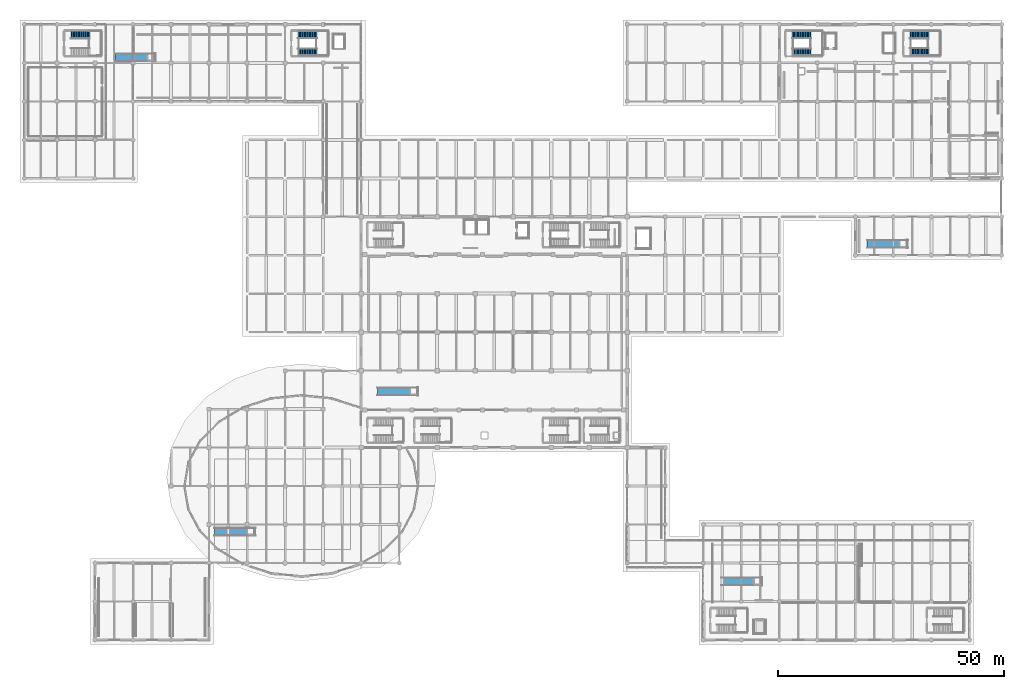
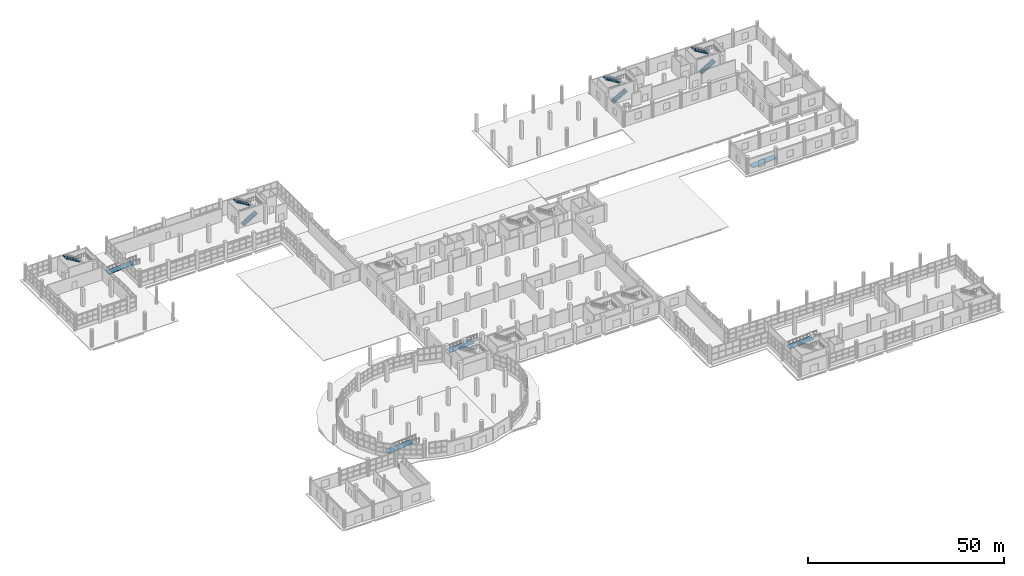
# One storey, part 99 of 107: 7 stair flights, 5 ramp flights, 9 elements without a shape of their own.
"""IFC4 building model written with IfcOpenShell, lengths in metres."""

from ifc_helpers import new_model, si_unit, direction, frame, origin, place, context, subcontext, project, spatial, polyline, outline, extrude, material, layer, layer_set, type_object, element, aggregate, save


model = new_model("IFC4")

# Units and contexts
model_context = context("Model", 3, precision=1e-05, world=origin(), true_north=direction((0.0, 1.0)))
body_context = subcontext(model_context, "Body", "Model", "MODEL_VIEW")
ifc_project = project(units=[si_unit("LENGTHUNIT", "METRE"), si_unit("AREAUNIT", "SQUARE_METRE"), si_unit("VOLUMEUNIT", "CUBIC_METRE"), si_unit("PLANEANGLEUNIT", "RADIAN"), si_unit("MASSUNIT", "GRAM", prefix="KILO")], contexts=[model_context])

# Site, building, storey
site_placement = place(None, origin())
site = spatial("IfcSite", under=ifc_project, at=site_placement, CompositionType="ELEMENT")
building_placement = place(site_placement, origin())
building = spatial("IfcBuilding", under=site, at=building_placement, Name="Solvento Point Concert Hall", CompositionType="ELEMENT")
storey_placement = place(building_placement, origin())
storey = spatial("IfcBuildingStorey", under=building, at=storey_placement, Name="L00", CompositionType="ELEMENT", Elevation=0.0)

# Stair, stair flights
ifc_material_1 = material(Name="Concrete C35/45", Category="concrete")
stair_type_1 = type_object("IfcStairType", Name="CoreStair_1600", PredefinedType="HALF_TURN_STAIR", material=ifc_material_1)
stair_1_placement = place(storey_placement, origin())
stair_1 = element("IfcStair", 1, at=stair_1_placement, inside=storey, type_object=stair_type_1, Name="Protected exit stair ST-01 (L00 to L01)", PredefinedType="HALF_TURN_STAIR")
ifc_material_2 = material(Name="Concrete C35/45", Category="concrete")
stair_flight_type_1 = type_object("IfcStairFlightType", Name="StairFlight_1600", PredefinedType="STRAIGHT", material=ifc_material_2)
stair_flight_1_placement = place(storey_placement, frame((169.64990234375, 129.89990234375, 0.0), z_axis=(0.0, 0.0, 1.0), x_axis=(1.0, 0.0, 0.0)))
stair_flight_1 = element("IfcStairFlight", 2, at=stair_flight_1_placement, type_object=stair_flight_type_1, Name="Stair flight ST-01 L00 lower", NumberOfRisers=16, NumberOfTreads=15, PredefinedType="STRAIGHT", RiserHeight=0.16875, TreadLength=0.28, context=body_context, shape_type="SweptSolid", body=[
    extrude(outline(polyline([(0.0, 0.0), (0.0, 0.168701171875), (0.280029296875, 0.168701171875), (0.280029296875, 0.33740234375), (0.56005859375, 0.33740234375), (0.56005859375, 0.50634765625), (0.840087890625, 0.50634765625), (0.840087890625, 0.675048828125), (1.1201171875, 0.675048828125), (1.1201171875, 0.84375), (1.39990234375, 0.84375), (1.39990234375, 1.012451171875), (1.679931640625, 1.012451171875), (1.679931640625, 1.18115234375), (1.9599609375, 1.18115234375), (1.9599609375, 1.35009765625), (2.239990234375, 1.35009765625), (2.239990234375, 1.518798828125), (2.52001953125, 1.518798828125), (2.52001953125, 1.6875), (2.800048828125, 1.6875), (2.800048828125, 1.856201171875), (3.080078125, 1.856201171875), (3.080078125, 2.02490234375), (3.360107421875, 2.02490234375), (3.360107421875, 2.19384765625), (3.639892578125, 2.19384765625), (3.639892578125, 2.362548828125), (3.919921875, 2.362548828125), (3.919921875, 2.53125), (4.199951171875, 2.53125), (4.199951171875, 2.699951171875), (4.199951171875, 2.3212890625), (0.3486328125, 0.0), (0.0, 0.0)])), frame((0.0, 0.800048828125, 0.0), z_axis=(0.0, -1.0, 0.0), x_axis=(1.0, 0.0, 0.0)), (0.0, 0.0, 1.0), 1.60009765625),
])
stair_flight_2_placement = place(storey_placement, frame((173.85009765625, 133.699951171875, 2.699951171875), z_axis=(0.0, 0.0, 1.0), x_axis=(-1.0, 0.0, 0.0)))
stair_flight_2 = element("IfcStairFlight", 3, at=stair_flight_2_placement, type_object=stair_flight_type_1, Name="Stair flight ST-01 L00 upper", NumberOfRisers=16, NumberOfTreads=15, PredefinedType="STRAIGHT", RiserHeight=0.16875, TreadLength=0.28, context=body_context, shape_type="SweptSolid", body=[
    extrude(outline(polyline([(0.0, 0.0), (0.0, 0.168701171875), (0.280029296875, 0.168701171875), (0.280029296875, 0.33740234375), (0.56005859375, 0.33740234375), (0.56005859375, 0.50634765625), (0.840087890625, 0.50634765625), (0.840087890625, 0.675048828125), (1.1201171875, 0.675048828125), (1.1201171875, 0.84375), (1.39990234375, 0.84375), (1.39990234375, 1.012451171875), (1.679931640625, 1.012451171875), (1.679931640625, 1.18115234375), (1.9599609375, 1.18115234375), (1.9599609375, 1.35009765625), (2.239990234375, 1.35009765625), (2.239990234375, 1.518798828125), (2.52001953125, 1.518798828125), (2.52001953125, 1.6875), (2.800048828125, 1.6875), (2.800048828125, 1.856201171875), (3.080078125, 1.856201171875), (3.080078125, 2.02490234375), (3.360107421875, 2.02490234375), (3.360107421875, 2.19384765625), (3.639892578125, 2.19384765625), (3.639892578125, 2.362548828125), (3.919921875, 2.362548828125), (3.919921875, 2.53125), (4.199951171875, 2.53125), (4.199951171875, 2.699951171875), (4.199951171875, 2.3212890625), (0.3486328125, 0.0), (0.0, 0.0)])), frame((0.0, 0.800048828125, 0.0), z_axis=(0.0, -1.0, 0.0), x_axis=(1.0, 0.0, 0.0)), (0.0, 0.0, 1.0), 1.60009765625),
])
aggregate(stair_1, [stair_flight_1, stair_flight_2])

stair_2_placement = place(storey_placement, origin())
stair_2 = element("IfcStair", 4, at=stair_2_placement, inside=storey, type_object=stair_type_1, Name="Protected exit stair ST-04 (L00 to L01)", PredefinedType="HALF_TURN_STAIR")
stair_flight_3_placement = place(storey_placement, frame((60.449951171875, 129.89990234375, 0.0), z_axis=(0.0, 0.0, 1.0), x_axis=(1.0, 0.0, 0.0)))
stair_flight_3 = element("IfcStairFlight", 5, at=stair_flight_3_placement, type_object=stair_flight_type_1, Name="Stair flight ST-04 L00 lower", NumberOfRisers=16, NumberOfTreads=15, PredefinedType="STRAIGHT", RiserHeight=0.16875, TreadLength=0.28, context=body_context, shape_type="SweptSolid", body=[
    extrude(outline(polyline([(0.0, 0.0), (0.0, 0.168701171875), (0.280029296875, 0.168701171875), (0.280029296875, 0.33740234375), (0.56005859375, 0.33740234375), (0.56005859375, 0.50634765625), (0.840087890625, 0.50634765625), (0.840087890625, 0.675048828125), (1.1201171875, 0.675048828125), (1.1201171875, 0.84375), (1.39990234375, 0.84375), (1.39990234375, 1.012451171875), (1.679931640625, 1.012451171875), (1.679931640625, 1.18115234375), (1.9599609375, 1.18115234375), (1.9599609375, 1.35009765625), (2.239990234375, 1.35009765625), (2.239990234375, 1.518798828125), (2.52001953125, 1.518798828125), (2.52001953125, 1.6875), (2.800048828125, 1.6875), (2.800048828125, 1.856201171875), (3.080078125, 1.856201171875), (3.080078125, 2.02490234375), (3.360107421875, 2.02490234375), (3.360107421875, 2.19384765625), (3.639892578125, 2.19384765625), (3.639892578125, 2.362548828125), (3.919921875, 2.362548828125), (3.919921875, 2.53125), (4.199951171875, 2.53125), (4.199951171875, 2.699951171875), (4.199951171875, 2.3212890625), (0.3486328125, 0.0), (0.0, 0.0)])), frame((0.0, 0.800048828125, 0.0), z_axis=(0.0, -1.0, 0.0), x_axis=(1.0, 0.0, 0.0)), (0.0, 0.0, 1.0), 1.60009765625),
])
stair_flight_4_placement = place(storey_placement, frame((64.64990234375, 133.699951171875, 2.699951171875), z_axis=(0.0, 0.0, 1.0), x_axis=(-1.0, 0.0, 0.0)))
stair_flight_4 = element("IfcStairFlight", 6, at=stair_flight_4_placement, type_object=stair_flight_type_1, Name="Stair flight ST-04 L00 upper", NumberOfRisers=16, NumberOfTreads=15, PredefinedType="STRAIGHT", RiserHeight=0.16875, TreadLength=0.28, context=body_context, shape_type="SweptSolid", body=[
    extrude(outline(polyline([(0.0, 0.0), (0.0, 0.168701171875), (0.280029296875, 0.168701171875), (0.280029296875, 0.33740234375), (0.56005859375, 0.33740234375), (0.56005859375, 0.50634765625), (0.840087890625, 0.50634765625), (0.840087890625, 0.675048828125), (1.1201171875, 0.675048828125), (1.1201171875, 0.84375), (1.39990234375, 0.84375), (1.39990234375, 1.012451171875), (1.679931640625, 1.012451171875), (1.679931640625, 1.18115234375), (1.9599609375, 1.18115234375), (1.9599609375, 1.35009765625), (2.239990234375, 1.35009765625), (2.239990234375, 1.518798828125), (2.52001953125, 1.518798828125), (2.52001953125, 1.6875), (2.800048828125, 1.6875), (2.800048828125, 1.856201171875), (3.080078125, 1.856201171875), (3.080078125, 2.02490234375), (3.360107421875, 2.02490234375), (3.360107421875, 2.19384765625), (3.639892578125, 2.19384765625), (3.639892578125, 2.362548828125), (3.919921875, 2.362548828125), (3.919921875, 2.53125), (4.199951171875, 2.53125), (4.199951171875, 2.699951171875), (4.199951171875, 2.3212890625), (0.3486328125, 0.0), (0.0, 0.0)])), frame((0.0, 0.800048828125, 0.0), z_axis=(0.0, -1.0, 0.0), x_axis=(1.0, 0.0, 0.0)), (0.0, 0.0, 1.0), 1.60009765625),
])
aggregate(stair_2, [stair_flight_3, stair_flight_4])

ifc_material_3 = material(Name="Concrete C35/45", Category="concrete")
stair_type_2 = type_object("IfcStairType", Name="CoreStair_1680", PredefinedType="HALF_TURN_STAIR", material=ifc_material_3)
stair_3_placement = place(storey_placement, origin())
stair_3 = element("IfcStair", 7, at=stair_3_placement, inside=storey, type_object=stair_type_2, Name="Protected exit stair ST-02 (L00 to L01)", PredefinedType="HALF_TURN_STAIR")
ifc_material_4 = material(Name="Concrete C35/45", Category="concrete")
stair_flight_type_2 = type_object("IfcStairFlightType", Name="StairFlight_1680", PredefinedType="STRAIGHT", material=ifc_material_4)
stair_flight_5_placement = place(storey_placement, frame((195.64990234375, 129.93994140625, 0.0), z_axis=(0.0, 0.0, 1.0), x_axis=(1.0, 0.0, 0.0)))
stair_flight_5 = element("IfcStairFlight", 8, at=stair_flight_5_placement, type_object=stair_flight_type_2, Name="Stair flight ST-02 L00 lower", NumberOfRisers=16, NumberOfTreads=15, PredefinedType="STRAIGHT", RiserHeight=0.16875, TreadLength=0.28, context=body_context, shape_type="SweptSolid", body=[
    extrude(outline(polyline([(0.0, 0.0), (0.0, 0.168701171875), (0.280029296875, 0.168701171875), (0.280029296875, 0.33740234375), (0.56005859375, 0.33740234375), (0.56005859375, 0.50634765625), (0.840087890625, 0.50634765625), (0.840087890625, 0.675048828125), (1.1201171875, 0.675048828125), (1.1201171875, 0.84375), (1.39990234375, 0.84375), (1.39990234375, 1.012451171875), (1.679931640625, 1.012451171875), (1.679931640625, 1.18115234375), (1.9599609375, 1.18115234375), (1.9599609375, 1.35009765625), (2.239990234375, 1.35009765625), (2.239990234375, 1.518798828125), (2.52001953125, 1.518798828125), (2.52001953125, 1.6875), (2.800048828125, 1.6875), (2.800048828125, 1.856201171875), (3.080078125, 1.856201171875), (3.080078125, 2.02490234375), (3.360107421875, 2.02490234375), (3.360107421875, 2.19384765625), (3.639892578125, 2.19384765625), (3.639892578125, 2.362548828125), (3.919921875, 2.362548828125), (3.919921875, 2.53125), (4.199951171875, 2.53125), (4.199951171875, 2.699951171875), (4.199951171875, 2.3212890625), (0.3486328125, 0.0), (0.0, 0.0)])), frame((0.0, 0.83984375, 0.0), z_axis=(0.0, -1.0, 0.0), x_axis=(1.0, 0.0, 0.0)), (0.0, 0.0, 1.0), 1.679931640625),
])
stair_flight_6_placement = place(storey_placement, frame((199.85009765625, 133.659912109375, 2.699951171875), z_axis=(0.0, 0.0, 1.0), x_axis=(-1.0, 0.0, 0.0)))
stair_flight_6 = element("IfcStairFlight", 9, at=stair_flight_6_placement, type_object=stair_flight_type_2, Name="Stair flight ST-02 L00 upper", NumberOfRisers=16, NumberOfTreads=15, PredefinedType="STRAIGHT", RiserHeight=0.16875, TreadLength=0.28, context=body_context, shape_type="SweptSolid", body=[
    extrude(outline(polyline([(0.0, 0.0), (0.0, 0.168701171875), (0.280029296875, 0.168701171875), (0.280029296875, 0.33740234375), (0.56005859375, 0.33740234375), (0.56005859375, 0.50634765625), (0.840087890625, 0.50634765625), (0.840087890625, 0.675048828125), (1.1201171875, 0.675048828125), (1.1201171875, 0.84375), (1.39990234375, 0.84375), (1.39990234375, 1.012451171875), (1.679931640625, 1.012451171875), (1.679931640625, 1.18115234375), (1.9599609375, 1.18115234375), (1.9599609375, 1.35009765625), (2.239990234375, 1.35009765625), (2.239990234375, 1.518798828125), (2.52001953125, 1.518798828125), (2.52001953125, 1.6875), (2.800048828125, 1.6875), (2.800048828125, 1.856201171875), (3.080078125, 1.856201171875), (3.080078125, 2.02490234375), (3.360107421875, 2.02490234375), (3.360107421875, 2.19384765625), (3.639892578125, 2.19384765625), (3.639892578125, 2.362548828125), (3.919921875, 2.362548828125), (3.919921875, 2.53125), (4.199951171875, 2.53125), (4.199951171875, 2.699951171875), (4.199951171875, 2.3212890625), (0.3486328125, 0.0), (0.0, 0.0)])), frame((0.0, 0.83984375, 0.0), z_axis=(0.0, -1.0, 0.0), x_axis=(1.0, 0.0, 0.0)), (0.0, 0.0, 1.0), 1.679931640625),
])
aggregate(stair_3, [stair_flight_5, stair_flight_6])

# Stair, stair flight
stair_4_placement = place(storey_placement, origin())
stair_4 = element("IfcStair", 10, at=stair_4_placement, inside=storey, type_object=stair_type_2, Name="Protected exit stair ST-05 (L00 to L01)", PredefinedType="HALF_TURN_STAIR")
stair_flight_7_placement = place(storey_placement, frame((14.449951171875, 133.659912109375, 2.699951171875), z_axis=(0.0, 0.0, 1.0), x_axis=(-1.0, 0.0, 0.0)))
stair_flight_7 = element("IfcStairFlight", 11, at=stair_flight_7_placement, type_object=stair_flight_type_2, Name="Stair flight ST-05 L00 upper", NumberOfRisers=16, NumberOfTreads=15, PredefinedType="STRAIGHT", RiserHeight=0.16875, TreadLength=0.28, context=body_context, shape_type="SweptSolid", body=[
    extrude(outline(polyline([(0.0, 0.0), (0.0, 0.168701171875), (0.280029296875, 0.168701171875), (0.280029296875, 0.33740234375), (0.56005859375, 0.33740234375), (0.56005859375, 0.50634765625), (0.840087890625, 0.50634765625), (0.840087890625, 0.675048828125), (1.1201171875, 0.675048828125), (1.1201171875, 0.84375), (1.39990234375, 0.84375), (1.39990234375, 1.012451171875), (1.679931640625, 1.012451171875), (1.679931640625, 1.18115234375), (1.9599609375, 1.18115234375), (1.9599609375, 1.35009765625), (2.239990234375, 1.35009765625), (2.239990234375, 1.518798828125), (2.52001953125, 1.518798828125), (2.52001953125, 1.6875), (2.800048828125, 1.6875), (2.800048828125, 1.856201171875), (3.080078125, 1.856201171875), (3.080078125, 2.02490234375), (3.360107421875, 2.02490234375), (3.360107421875, 2.19384765625), (3.639892578125, 2.19384765625), (3.639892578125, 2.362548828125), (3.919921875, 2.362548828125), (3.919921875, 2.53125), (4.199951171875, 2.53125), (4.199951171875, 2.699951171875), (4.199951171875, 2.3212890625), (0.3486328125, 0.0), (0.0, 0.0)])), frame((0.0, 0.83984375, 0.0), z_axis=(0.0, -1.0, 0.0), x_axis=(1.0, 0.0, 0.0)), (0.0, 0.0, 1.0), 1.679931640625),
])
aggregate(stair_4, [stair_flight_7])

# Ramp, ramp flight
ifc_material_5 = material(Name="Concrete C35/45", Category="concrete")
ramp_type = type_object("IfcRampType", Name="PedestrianADARamp", PredefinedType="STRAIGHT_RUN_RAMP", material=ifc_material_5)
ramp_1_placement = place(storey_placement, origin())
ramp_1 = element("IfcRamp", 12, at=ramp_1_placement, inside=storey, type_object=ramp_type, Name="Accessible 1:12 pedestrian ramp RMP-F1", PredefinedType="STRAIGHT_RUN_RAMP")
ifc_material_6 = material(Name="Concrete C35/45", Category="concrete")
ifc_layer = layer(ifc_material_6, 0.179931640625)
ifc_layer_set = layer_set([ifc_layer], Name="Concrete C35/45")
ramp_flight_type = type_object("IfcRampFlightType", Name="PedestrianRampFlight_180", PredefinedType="STRAIGHT", material=ifc_layer_set)
ramp_flight_1_placement = place(storey_placement, frame((42.0, 23.0, 0.0), z_axis=(-0.076174221307, 0.0, 0.997094523106), x_axis=(0.997094523106, 0.0, 0.076174221307)))
ramp_flight_1 = element("IfcRampFlight", 13, at=ramp_flight_1_placement, type_object=ramp_flight_type, Name="Accessible ramp flight RMP-F1", PredefinedType="STRAIGHT", context=body_context, shape_type="SweptSolid", body=[
    extrude(outline(polyline([(0.0, 0.0), (7.220931421271488, 0.0), (7.220931421271488, 1.800048828125), (0.0, 1.800048828125), (0.0, 0.0)])), origin(), (0.0, 0.0, -1.0), 0.179931640625),
])
aggregate(ramp_1, [ramp_flight_1])

ramp_2_placement = place(storey_placement, origin())
ramp_2 = element("IfcRamp", 14, at=ramp_2_placement, inside=storey, type_object=ramp_type, Name="Accessible 1:12 pedestrian ramp RMP-H1", PredefinedType="STRAIGHT_RUN_RAMP")
ramp_flight_2_placement = place(storey_placement, frame((78.0, 54.0, 0.0), z_axis=(-0.076174221307, 0.0, 0.997094523106), x_axis=(0.997094523106, 0.0, 0.076174221307)))
ramp_flight_2 = element("IfcRampFlight", 15, at=ramp_flight_2_placement, type_object=ramp_flight_type, Name="Accessible ramp flight RMP-H1", PredefinedType="STRAIGHT", context=body_context, shape_type="SweptSolid", body=[
    extrude(outline(polyline([(0.0, 0.0), (7.220931421271488, 0.0), (7.220931421271488, 1.800048828125), (0.0, 1.800048828125), (0.0, 0.0)])), origin(), (0.0, 0.0, -1.0), 0.179931640625),
])
aggregate(ramp_2, [ramp_flight_2])

ramp_3_placement = place(storey_placement, origin())
ramp_3 = element("IfcRamp", 16, at=ramp_3_placement, inside=storey, type_object=ramp_type, Name="Accessible 1:12 pedestrian ramp RMP-H2", PredefinedType="STRAIGHT_RUN_RAMP")
ramp_flight_3_placement = place(storey_placement, frame((154.0, 12.0, 0.0), z_axis=(-0.076174221307, 0.0, 0.997094523106), x_axis=(0.997094523106, 0.0, 0.076174221307)))
ramp_flight_3 = element("IfcRampFlight", 17, at=ramp_flight_3_placement, type_object=ramp_flight_type, Name="Accessible ramp flight RMP-H2", PredefinedType="STRAIGHT", context=body_context, shape_type="SweptSolid", body=[
    extrude(outline(polyline([(0.0, 0.0), (7.220931421271488, 0.0), (7.220931421271488, 1.800048828125), (0.0, 1.800048828125), (0.0, 0.0)])), origin(), (0.0, 0.0, -1.0), 0.179931640625),
])
aggregate(ramp_3, [ramp_flight_3])

ramp_4_placement = place(storey_placement, origin())
ramp_4 = element("IfcRamp", 18, at=ramp_4_placement, inside=storey, type_object=ramp_type, Name="Accessible 1:12 pedestrian ramp RMP-H3", PredefinedType="STRAIGHT_RUN_RAMP")
ramp_flight_4_placement = place(storey_placement, frame((20.0, 127.800048828125, 0.0), z_axis=(-0.076174221307, 0.0, 0.997094523106), x_axis=(0.997094523106, 0.0, 0.076174221307)))
ramp_flight_4 = element("IfcRampFlight", 19, at=ramp_flight_4_placement, type_object=ramp_flight_type, Name="Accessible ramp flight RMP-H3", PredefinedType="STRAIGHT", context=body_context, shape_type="SweptSolid", body=[
    extrude(outline(polyline([(0.0, 0.0), (7.220931421271488, 0.0), (7.220931421271488, 1.800048828125), (0.0, 1.800048828125), (0.0, 0.0)])), origin(), (0.0, 0.0, -1.0), 0.179931640625),
])
aggregate(ramp_4, [ramp_flight_4])

ramp_5_placement = place(storey_placement, origin())
ramp_5 = element("IfcRamp", 20, at=ramp_5_placement, inside=storey, type_object=ramp_type, Name="Accessible 1:12 pedestrian ramp RMP-H4", PredefinedType="STRAIGHT_RUN_RAMP")
ramp_flight_5_placement = place(storey_placement, frame((186.199951171875, 86.60009765625, 0.0), z_axis=(-0.076174221307, 0.0, 0.997094523106), x_axis=(0.997094523106, 0.0, 0.076174221307)))
ramp_flight_5 = element("IfcRampFlight", 21, at=ramp_flight_5_placement, type_object=ramp_flight_type, Name="Accessible ramp flight RMP-H4", PredefinedType="STRAIGHT", context=body_context, shape_type="SweptSolid", body=[
    extrude(outline(polyline([(0.0, 0.0), (7.220931421271488, 0.0), (7.220931421271488, 1.7998046875), (0.0, 1.7998046875), (0.0, 0.0)])), origin(), (0.0, 0.0, -1.0), 0.179931640625),
])
aggregate(ramp_5, [ramp_flight_5])

save(model, "model.ifc")
